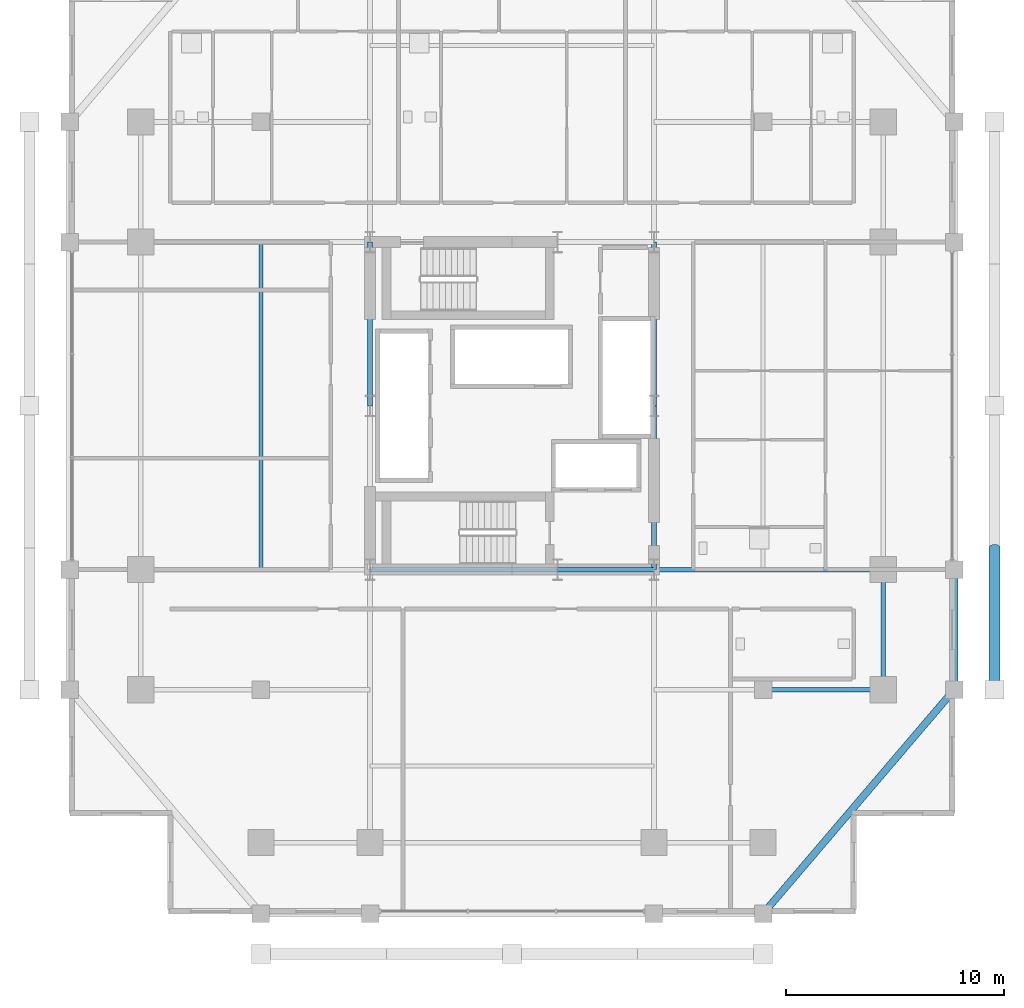
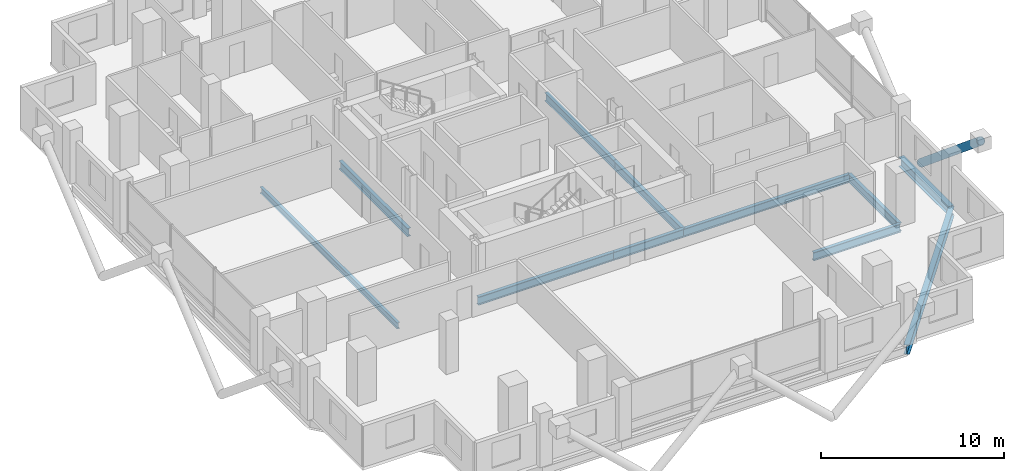
# One storey, part 7 of 22: 11 beams, 1 member.
"""IFC4 building model written with IfcOpenShell, lengths in metres."""

from ifc_helpers import new_model, si_unit, direction, frame, origin, origin_2d, place, context, subcontext, project, spatial, hollow_circle, i_section, extrude, material, material_profile, profile_set, type_object, element, save


model = new_model("IFC4")

# Units and contexts
model_context = context("Model", 3, precision=1e-05, world=origin(), true_north=direction((0.0, 1.0)))
body_context = subcontext(model_context, "Body", "Model", "MODEL_VIEW")
ifc_project = project(units=[si_unit("LENGTHUNIT", "METRE"), si_unit("AREAUNIT", "SQUARE_METRE"), si_unit("VOLUMEUNIT", "CUBIC_METRE"), si_unit("PLANEANGLEUNIT", "RADIAN"), si_unit("MASSUNIT", "GRAM", prefix="KILO")], contexts=[model_context])

# Site, building, storey
site_placement = place(None, origin())
site = spatial("IfcSite", under=ifc_project, at=site_placement, CompositionType="ELEMENT")
building_placement = place(site_placement, origin())
building = spatial("IfcBuilding", under=site, at=building_placement, Name="Barlavira Tower and Art Museum", CompositionType="ELEMENT")
storey_placement = place(building_placement, frame((0.0, 0.0, 106.199951171875)))
storey = spatial("IfcBuildingStorey", under=building, at=storey_placement, Name="L26", CompositionType="ELEMENT", Elevation=106.199951171875)

# Member
ifc_material = material(Name="Steel S355", Category="steel")
ifc_material_profile_1 = material_profile(ifc_material, hollow_circle(Radius=0.25390625, WallThickness=0.022216796875, at=origin_2d()), Name="CHS 508.0x22.2")
ifc_profile_set_1 = profile_set([ifc_material_profile_1], Name="Steel S355")
member_type = type_object("IfcMemberType", Name="Pale-Metal Exoskeleton Diagrid Tube CHS 508x22 Steel S355", PredefinedType="BRACE", material=ifc_profile_set_1)
member_placement = place(storey_placement, frame((22.10009765625, -6.5, -1.919921875), z_axis=(0.0, -0.769196053329, 0.639012857104), x_axis=(1.0, 0.0, 0.0)))
element("IfcMember", 1, at=member_placement, inside=storey, type_object=member_type, Name="L26 Exoskeleton Diagrid Tube E", PredefinedType="BRACE", context=body_context, shape_type="SweptSolid", body=[
    extrude(hollow_circle(Radius=0.25390625, WallThickness=0.022216796875, at=origin_2d()), origin(), (0.0, 0.0, 1.0), 8.450439453125),
])

# Beams
ifc_material_profile_2 = material_profile(ifc_material, i_section(OverallWidth=0.327880859375, OverallDepth=0.62890625, WebThickness=0.013916015625, FlangeThickness=0.021484375, at=origin_2d()), Name="W610x174.0")
ifc_profile_set_2 = profile_set([ifc_material_profile_2], Name="Steel S355")
beam_type_1 = type_object("IfcBeamType", Name="Perimeter Spandrel Edge Beam W610x174 Steel S355", PredefinedType="SPANDREL", material=ifc_profile_set_2)
beam_1_placement = place(storey_placement, frame((11.5, -23.25, -0.534423828125), z_axis=(0.649262379928, 0.760564502202, 0.0), x_axis=(-0.760564502202, 0.649262379928, 0.0)))
element("IfcBeam", 2, at=beam_1_placement, inside=storey, type_object=beam_type_1, Name="L26 Spandrel 4", PredefinedType="SPANDREL", context=body_context, shape_type="SweptSolid", body=[
    extrude(i_section(OverallWidth=0.327880859375, OverallDepth=0.62890625, WebThickness=0.013916015625, FlangeThickness=0.021484375, at=origin_2d()), origin(), (0.0, 0.0, 1.0), 13.476806640625),
])
beam_2_placement = place(storey_placement, frame((20.25, -13.0, -0.534423828125), z_axis=(0.0, 1.0, 0.0), x_axis=(-1.0, 0.0, 0.0)))
element("IfcBeam", 3, at=beam_2_placement, inside=storey, type_object=beam_type_1, Name="L26 Spandrel 5", PredefinedType="SPANDREL", context=body_context, shape_type="SweptSolid", body=[
    extrude(i_section(OverallWidth=0.327880859375, OverallDepth=0.62890625, WebThickness=0.013916015625, FlangeThickness=0.021484375, at=origin_2d()), origin(), (0.0, 0.0, 1.0), 5.5),
])
ifc_material_profile_3 = material_profile(ifc_material, i_section(OverallWidth=0.214111328125, OverallDepth=0.549072265625, WebThickness=0.0146484375, FlangeThickness=0.023681640625, at=origin_2d()), Name="W530x138.0")
ifc_profile_set_3 = profile_set([ifc_material_profile_3], Name="Steel S355")
beam_type_2 = type_object("IfcBeamType", Name="Zone 1 Primary Floor Girder W530x138 Steel S355", PredefinedType="BEAM", material=ifc_profile_set_3)
beam_3_placement = place(storey_placement, frame((-6.5, -7.5, -0.494384765625), z_axis=(1.0, 0.0, 0.0), x_axis=(0.0, 1.0, 0.0)))
element("IfcBeam", 4, at=beam_3_placement, inside=storey, type_object=beam_type_2, Name="L26 Girder C-S1", PredefinedType="BEAM", context=body_context, shape_type="SweptSolid", body=[
    extrude(i_section(OverallWidth=0.214111328125, OverallDepth=0.549072265625, WebThickness=0.0146484375, FlangeThickness=0.023681640625, at=origin_2d()), origin(), (0.0, 0.0, 1.0), 8.580078125),
])
beam_4_placement = place(storey_placement, frame((2.080078125, -7.5, -0.494384765625), z_axis=(1.0, 0.0, 0.0), x_axis=(0.0, 1.0, 0.0)))
element("IfcBeam", 5, at=beam_4_placement, inside=storey, type_object=beam_type_2, Name="L26 Girder C-S2", PredefinedType="BEAM", context=body_context, shape_type="SweptSolid", body=[
    extrude(i_section(OverallWidth=0.214111328125, OverallDepth=0.549072265625, WebThickness=0.0146484375, FlangeThickness=0.023681640625, at=origin_2d()), origin(), (0.0, 0.0, 1.0), 4.419921875),
])
for number, where, z_axis, x_axis, name in (
    (6, (-6.5, 0.0, -0.494384765625), (0.0, 1.0, 0.0), (-1.0, 0.0, 0.0), "L26 Girder C-W2"),
    (7, (6.5, -7.5, -0.494384765625), (0.0, 1.0, 0.0), (-1.0, 0.0, 0.0), "L26 Girder C-E1"),
    (8, (6.5, 0.0, -0.494384765625), (0.0, 1.0, 0.0), (-1.0, 0.0, 0.0), "L26 Girder C-E2"),
):
    element("IfcBeam", number, at=place(storey_placement, frame(where, z_axis=z_axis, x_axis=x_axis)), inside=storey, type_object=beam_type_2, Name=name, PredefinedType="BEAM", context=body_context, shape_type="SweptSolid", body=[
        extrude(i_section(OverallWidth=0.214111328125, OverallDepth=0.549072265625, WebThickness=0.0146484375, FlangeThickness=0.023681640625, at=origin_2d()), origin(), (0.0, 0.0, 1.0), 7.5),
    ])
beam_5_placement = place(storey_placement, frame((17.0, -13.0, -0.494384765625), z_axis=(0.0, 1.0, 0.0), x_axis=(-1.0, 0.0, 0.0)))
element("IfcBeam", 9, at=beam_5_placement, inside=storey, type_object=beam_type_2, Name="L26 Girder M-E1", PredefinedType="BEAM", context=body_context, shape_type="SweptSolid", body=[
    extrude(i_section(OverallWidth=0.214111328125, OverallDepth=0.549072265625, WebThickness=0.0146484375, FlangeThickness=0.023681640625, at=origin_2d()), origin(), (0.0, 0.0, 1.0), 5.5),
])
beam_6_placement = place(storey_placement, frame((6.5, -7.5, -0.494384765625), z_axis=(1.0, 0.0, 0.0), x_axis=(0.0, 1.0, 0.0)))
element("IfcBeam", 10, at=beam_6_placement, inside=storey, type_object=beam_type_2, Name="L26 Girder R-E1", PredefinedType="BEAM", context=body_context, shape_type="SweptSolid", body=[
    extrude(i_section(OverallWidth=0.214111328125, OverallDepth=0.549072265625, WebThickness=0.0146484375, FlangeThickness=0.023681640625, at=origin_2d()), origin(), (0.0, 0.0, 1.0), 10.5),
])
beam_7_placement = place(storey_placement, frame((11.5, -13.0, -0.494384765625), z_axis=(1.0, 0.0, 0.0), x_axis=(0.0, 1.0, 0.0)))
element("IfcBeam", 11, at=beam_7_placement, inside=storey, type_object=beam_type_2, Name="L26 Girder I-S4", PredefinedType="BEAM", context=body_context, shape_type="SweptSolid", body=[
    extrude(i_section(OverallWidth=0.214111328125, OverallDepth=0.549072265625, WebThickness=0.0146484375, FlangeThickness=0.023681640625, at=origin_2d()), origin(), (0.0, 0.0, 1.0), 5.5),
])
ifc_material_profile_4 = material_profile(ifc_material, i_section(OverallWidth=0.179931640625, OverallDepth=0.4130859375, WebThickness=0.009765625, FlangeThickness=0.01611328125, at=origin_2d()), Name="W410x75.0")
ifc_profile_set_4 = profile_set([ifc_material_profile_4], Name="Steel S355")
beam_type_3 = type_object("IfcBeamType", Name="Zone 2 Composite Floor Joist W410x75 Steel S355", PredefinedType="JOIST", material=ifc_profile_set_4)
beam_8_placement = place(storey_placement, frame((-11.5, -7.5, -0.426513671875), z_axis=(0.0, 1.0, 0.0), x_axis=(-1.0, 0.0, 0.0)))
element("IfcBeam", 12, at=beam_8_placement, inside=storey, type_object=beam_type_3, Name="L26 Joist W1", PredefinedType="JOIST", context=body_context, shape_type="SweptSolid", body=[
    extrude(i_section(OverallWidth=0.179931640625, OverallDepth=0.4130859375, WebThickness=0.009765625, FlangeThickness=0.01611328125, at=origin_2d()), origin(), (0.0, 0.0, 1.0), 15.0),
])

save(model, "model.ifc")
